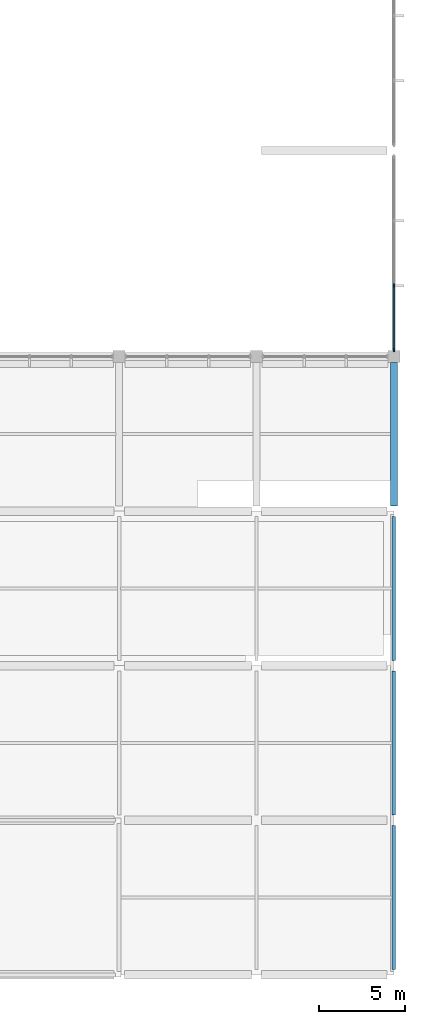
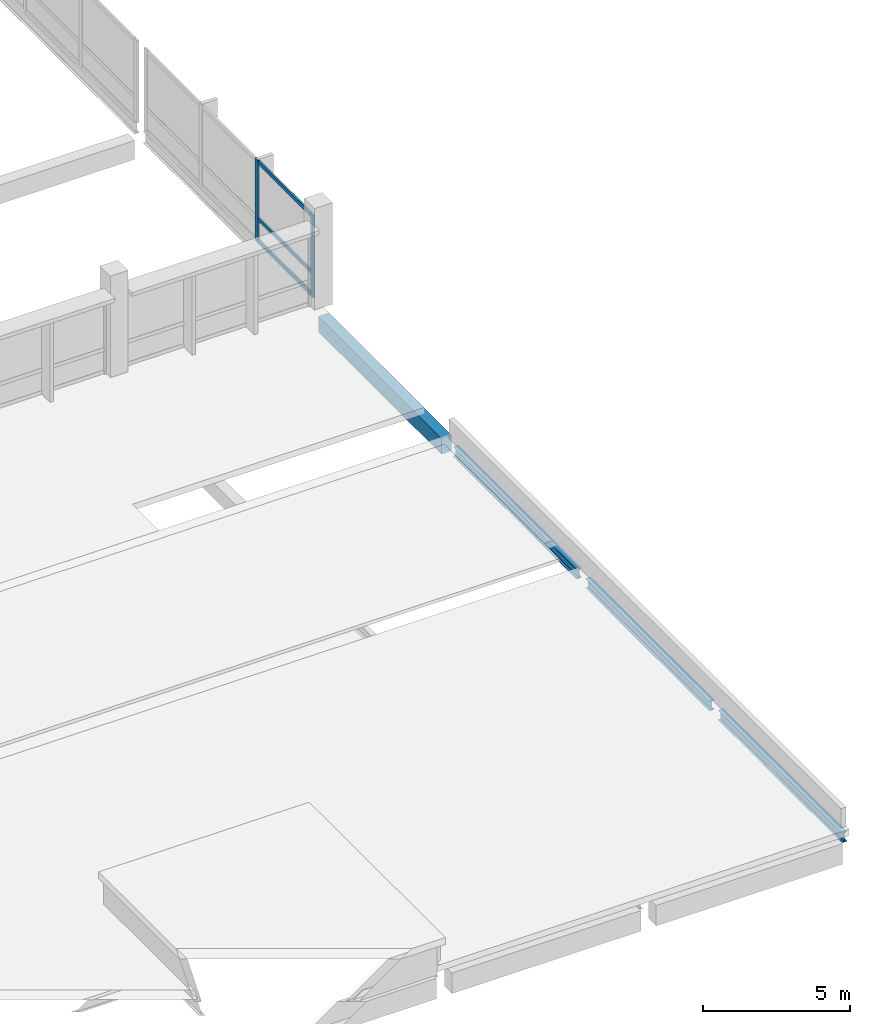
# One storey, part 35 of 70: 5 members, 4 beams, 1 element without a shape of its own.
"""IFC4 building model written with IfcOpenShell, lengths in metres."""

from ifc_helpers import new_model, si_unit, direction, frame, origin, origin_2d, place, context, subcontext, project, spatial, rectangle, i_section, extrude, material, material_profile, profile_set, type_object, element, aggregate, save


model = new_model("IFC4")

# Units and contexts
model_context = context("Model", 3, precision=1e-05, world=origin(), true_north=direction((0.0, 1.0)))
body_context = subcontext(model_context, "Body", "Model", "MODEL_VIEW")
ifc_project = project(units=[si_unit("LENGTHUNIT", "METRE"), si_unit("AREAUNIT", "SQUARE_METRE"), si_unit("VOLUMEUNIT", "CUBIC_METRE"), si_unit("PLANEANGLEUNIT", "RADIAN"), si_unit("MASSUNIT", "GRAM", prefix="KILO"), si_unit("THERMODYNAMICTEMPERATUREUNIT", "KELVIN"), si_unit("POWERUNIT", "WATT")], contexts=[model_context])

# Site, building, storey
site_placement = place(None, origin())
site = spatial("IfcSite", under=ifc_project, at=site_placement, CompositionType="ELEMENT")
building_placement = place(site_placement, origin())
building = spatial("IfcBuilding", under=site, at=building_placement, Name="Kronsvod Quay Wholesale Market", CompositionType="ELEMENT")
storey_placement = place(building_placement, frame((0.0, 0.0, 9.0)))
storey = spatial("IfcBuildingStorey", under=building, at=storey_placement, Name="L02", CompositionType="ELEMENT", Elevation=9.0)

# Beams
ifc_material_1 = material(Name="Precast concrete C40/50", Category="concrete")
ifc_material_profile_1 = material_profile(ifc_material_1, rectangle(XDim=0.39990234375, YDim=0.64990234375, at=origin_2d()), Name="PCB400x650")
ifc_profile_set_1 = profile_set([ifc_material_profile_1], Name="Precast concrete C40/50")
beam_type_1 = type_object("IfcBeamType", Name="Beam_PCB400x650", PredefinedType="BEAM", material=ifc_profile_set_1)
beam_placement = place(storey_placement, frame((192.0, 45.300048828125, -0.635009765625), z_axis=(0.0, 1.0, 0.0), x_axis=(-1.0, 0.0, 0.0)))
element("IfcBeam", 1, at=beam_placement, inside=storey, type_object=beam_type_1, Name="BMY-L02-1920-450", PredefinedType="BEAM", context=body_context, shape_type="SweptSolid", body=[
    extrude(rectangle(XDim=0.39990234375, YDim=0.64990234375, at=origin_2d()), origin(), (0.0, 0.0, 1.0), 8.349853515625),
])
ifc_material_2 = material(Name="Steel S355", Category="steel")
ifc_material_profile_2 = material_profile(ifc_material_2, i_section(OverallWidth=0.199951171875, OverallDepth=0.39990234375, WebThickness=0.008056640625, FlangeThickness=0.012939453125, FilletRadius=0.01611328125, at=origin_2d()), Name="40B2")
ifc_profile_set_2 = profile_set([ifc_material_profile_2], Name="Steel S355")
beam_type_2 = type_object("IfcBeamType", Name="Beam_Steel40B2", PredefinedType="BEAM", material=ifc_profile_set_2)
for number, where, z_axis, x_axis, name in (
    (2, (192.0, 18.300048828125, -0.510009765625), (0.0, 1.0, 0.0), (-1.0, 0.0, 0.0), "BMY-L02-1920-180"),
    (3, (192.0, 27.300048828125, -0.510009765625), (0.0, 1.0, 0.0), (-1.0, 0.0, 0.0), "BMY-L02-1920-270"),
    (4, (192.0, 36.300048828125, -0.510009765625), (0.0, 1.0, 0.0), (-1.0, 0.0, 0.0), "BMY-L02-1920-360"),
):
    element("IfcBeam", number, at=place(storey_placement, frame(where, z_axis=z_axis, x_axis=x_axis)), inside=storey, type_object=beam_type_2, Name=name, PredefinedType="BEAM", context=body_context, shape_type="SweptSolid", body=[
        extrude(i_section(OverallWidth=0.199951171875, OverallDepth=0.39990234375, WebThickness=0.008056640625, FlangeThickness=0.012939453125, FilletRadius=0.01611328125, at=origin_2d()), origin(), (0.0, 0.0, 1.0), 8.39990234375),
    ])

# Curtain wall, members
ifc_material_3 = material(Name="Thermally broken aluminium and triple low-E glazing", Category="aluminium")
curtain_wall_type = type_object("IfcCurtainWallType", Name="CW_Flower120x32", PredefinedType="NOTDEFINED", material=ifc_material_3)
curtain_wall_placement = place(storey_placement, origin())
curtain_wall = element("IfcCurtainWall", 5, at=curtain_wall_placement, inside=storey, type_object=curtain_wall_type, Name="CWGY-L02-1920-540", PredefinedType="NOTDEFINED")
ifc_material_4 = material(Name="Anodised aluminium", Category="aluminium")
ifc_material_profile_3 = material_profile(ifc_material_4, rectangle(XDim=0.074951171875, YDim=0.199951171875, at=origin_2d()), Name="ALUM75x200")
ifc_profile_set_3 = profile_set([ifc_material_profile_3], Name="Anodised aluminium")
member_type_1 = type_object("IfcMemberType", Name="Mullion_ALU75x200", PredefinedType="MULLION", material=ifc_profile_set_3)
member_1_placement = place(storey_placement, frame((192.0, 54.382568359375, 0.0), z_axis=(0.0, 0.0, 1.0), x_axis=(1.0, 0.0, 0.0)))
member_1 = element("IfcMember", 6, at=member_1_placement, type_object=member_type_1, Name="CWGY-L02-1920-540-M1", PredefinedType="MULLION", context=body_context, shape_type="SweptSolid", body=[
    extrude(rectangle(XDim=0.074951171875, YDim=0.199951171875, at=origin_2d()), origin(), (0.0, 0.0, 1.0), 3.419921875),
])
member_2_placement = place(storey_placement, frame((192.0, 58.131591796875, 0.0), z_axis=(0.0, 0.0, 1.0), x_axis=(1.0, 0.0, 0.0)))
member_2 = element("IfcMember", 7, at=member_2_placement, type_object=member_type_1, Name="CWGY-L02-1920-540-M2", PredefinedType="MULLION", context=body_context, shape_type="SweptSolid", body=[
    extrude(rectangle(XDim=0.074951171875, YDim=0.199951171875, at=origin_2d()), origin(), (0.0, 0.0, 1.0), 3.419921875),
])
ifc_material_5 = material(Name="Anodised aluminium", Category="aluminium")
ifc_material_profile_4 = material_profile(ifc_material_5, rectangle(XDim=0.074951171875, YDim=0.14990234375, at=origin_2d()), Name="ALUT75x150")
ifc_profile_set_4 = profile_set([ifc_material_profile_4], Name="Anodised aluminium")
member_type_2 = type_object("IfcMemberType", Name="Transom_ALU75x150", PredefinedType="USERDEFINED", material=ifc_profile_set_4)
member_3_placement = place(storey_placement, frame((192.0, 54.419921875, 0.074951171875), z_axis=(0.0, 1.0, 0.0), x_axis=(-1.0, 0.0, 0.0)))
member_3 = element("IfcMember", 8, at=member_3_placement, type_object=member_type_2, Name="CWGY-L02-1920-540-T1B1", ObjectType="TRANSOM", PredefinedType="USERDEFINED", context=body_context, shape_type="SweptSolid", body=[
    extrude(rectangle(XDim=0.074951171875, YDim=0.14990234375, at=origin_2d()), origin(), (0.0, 0.0, 1.0), 3.67431640625),
])
member_4_placement = place(storey_placement, frame((192.0, 54.419921875, 1.0), z_axis=(0.0, 1.0, 0.0), x_axis=(-1.0, 0.0, 0.0)))
member_4 = element("IfcMember", 9, at=member_4_placement, type_object=member_type_2, Name="CWGY-L02-1920-540-T2B1", ObjectType="TRANSOM", PredefinedType="USERDEFINED", context=body_context, shape_type="SweptSolid", body=[
    extrude(rectangle(XDim=0.074951171875, YDim=0.14990234375, at=origin_2d()), origin(), (0.0, 0.0, 1.0), 3.67431640625),
])
member_5_placement = place(storey_placement, frame((192.0, 54.419921875, 3.344970703125), z_axis=(0.0, 1.0, 0.0), x_axis=(-1.0, 0.0, 0.0)))
member_5 = element("IfcMember", 10, at=member_5_placement, type_object=member_type_2, Name="CWGY-L02-1920-540-T3B1", ObjectType="TRANSOM", PredefinedType="USERDEFINED", context=body_context, shape_type="SweptSolid", body=[
    extrude(rectangle(XDim=0.074951171875, YDim=0.14990234375, at=origin_2d()), origin(), (0.0, 0.0, 1.0), 3.67431640625),
])
aggregate(curtain_wall, [member_1, member_2, member_3, member_4, member_5])

save(model, "model.ifc")
